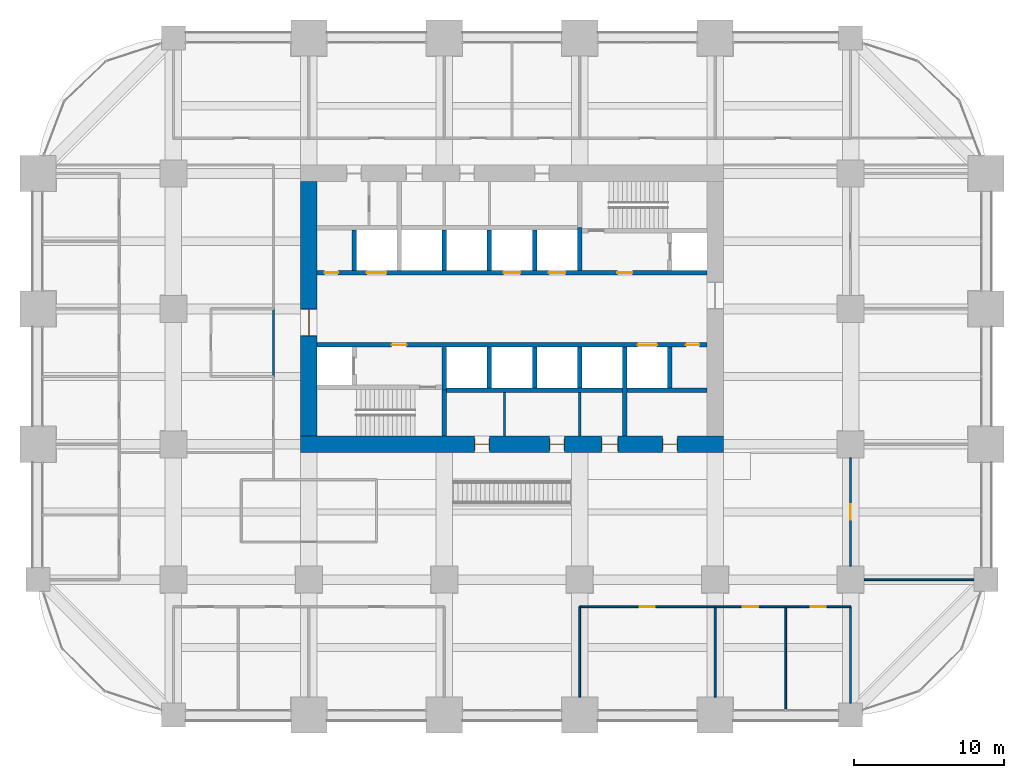
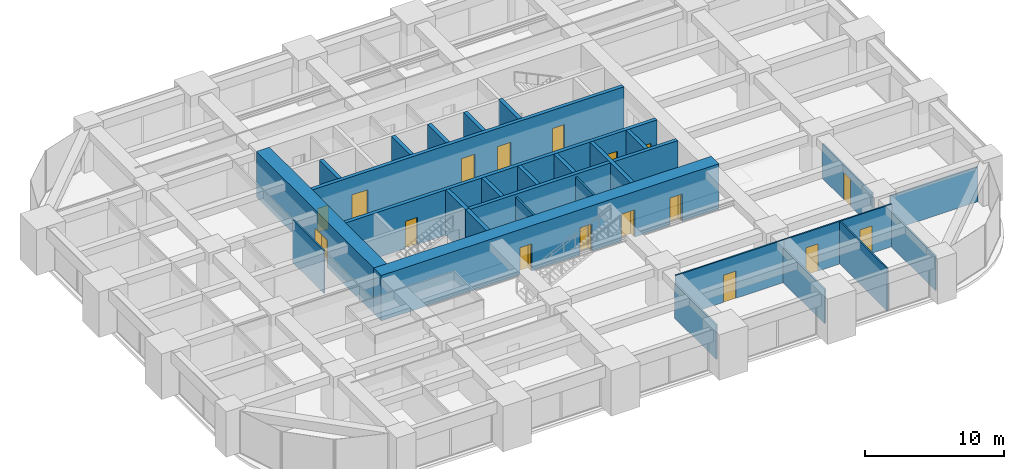
# One storey, part 37 of 41: 29 walls, 17 doors, 17 openings.
"""IFC4 building model written with IfcOpenShell, lengths in metres."""

import ifcopenshell
import ifcopenshell.guid

model = None  # the IFC model being written
_history = None  # IfcOwnerHistory: only IFC2X3 demands one
_inside = {}  # id of a spatial element -> (the spatial element, [elements in it])
_under = {}  # id of a project, library or spatial element -> (it, [spatial elements below it])
_declared = {}  # id of a project -> (the project, [libraries it declares])
_typed = {}  # id of a type object -> (the type object, [elements of that type])
_made_of = {}  # id of a material, layer set ... -> (it, [elements and type objects made of it])


def new_model(schema):
    """Start an empty IFC model of exactly this schema.

    Asked for "IFC4X3", IfcOpenShell would pick the latest addendum, in which some entities
    have other attributes; the version numbers below select the first issue.
    IFC2X3 requires an IfcOwnerHistory on every rooted entity: one is made here for all.
    """
    global model, _history
    if schema == "IFC4X3":
        model = ifcopenshell.file(schema_version=(4, 3, 0, 0))
    else:
        model = ifcopenshell.file(schema=schema)
    _inside.clear()
    _under.clear()
    _declared.clear()
    _typed.clear()
    _made_of.clear()
    _history = None
    if model.schema == "IFC2X3":
        org = make("IfcOrganization", Name="unknown")
        user = make(
            "IfcPersonAndOrganization",
            ThePerson=make("IfcPerson", FamilyName="unknown"),
            TheOrganization=org,
        )
        app = make(
            "IfcApplication",
            ApplicationDeveloper=org,
            Version="unknown",
            ApplicationFullName="unknown",
            ApplicationIdentifier="unknown",
        )
        _history = make(
            "IfcOwnerHistory",
            OwningUser=user,
            OwningApplication=app,
            ChangeAction="ADDED",
            CreationDate=0,
        )
    return model


def make(cls, **values):
    """One entity of the class cls with the attributes given. An attribute that is None is left unset."""
    return model.create_entity(
        cls, **{name: value for name, value in values.items() if value is not None}
    )


def rooted(cls, **values):
    """An entity with a GlobalId (a new one), such as an element, a storey or a relation."""
    return make(cls, GlobalId=ifcopenshell.guid.new(), OwnerHistory=_history, **values)


def si_unit(unit_type, name, prefix=None):
    """IfcSIUnit, for example si_unit("LENGTHUNIT", "METRE", prefix="MILLI")."""
    return make("IfcSIUnit", UnitType=unit_type, Prefix=prefix, Name=name)


def assignment(units):
    """IfcUnitAssignment: the units of a project."""
    return None if units is None else make("IfcUnitAssignment", Units=units)


def point(xyz):
    """IfcCartesianPoint."""
    return None if xyz is None else make("IfcCartesianPoint", Coordinates=xyz)


def direction(xyz):
    """IfcDirection."""
    return None if xyz is None else make("IfcDirection", DirectionRatios=xyz)


def frame(location, z_axis=None, x_axis=None):
    """IfcAxis2Placement3D, a coordinate frame: its origin and axes. An axis left out is left unset."""
    return make(
        "IfcAxis2Placement3D",
        Location=point(location),
        Axis=direction(z_axis),
        RefDirection=direction(x_axis),
    )


def frame_2d(location, x_axis=None):
    """IfcAxis2Placement2D, a coordinate frame in the plane: its origin and x axis."""
    return make(
        "IfcAxis2Placement2D", Location=point(location), RefDirection=direction(x_axis)
    )


def origin():
    """The frame at (0, 0, 0) with its axes left unset."""
    return frame((0.0, 0.0, 0.0))


def place(relative_to, where):
    """IfcLocalPlacement: puts the frame where relative to a parent placement (None: the world)."""
    return make(
        "IfcLocalPlacement", PlacementRelTo=relative_to, RelativePlacement=where
    )


def context(
    kind, dimensions, precision=None, world=None, true_north=None, identifier=None
):
    """IfcGeometricRepresentationContext, for example the 3D "Model" context."""
    return make(
        "IfcGeometricRepresentationContext",
        ContextIdentifier=identifier,
        ContextType=kind,
        CoordinateSpaceDimension=dimensions,
        Precision=precision,
        WorldCoordinateSystem=world,
        TrueNorth=true_north,
    )


def subcontext(parent, identifier, kind, view, scale=None):
    """IfcGeometricRepresentationSubContext, for example "Body" below "Model"."""
    return make(
        "IfcGeometricRepresentationSubContext",
        ContextIdentifier=identifier,
        ContextType=kind,
        ParentContext=parent,
        TargetScale=scale,
        TargetView=view,
    )


def project(units=None, contexts=None):
    """IfcProject with its units and contexts."""
    return rooted(
        "IfcProject",
        Name="project",
        RepresentationContexts=contexts,
        UnitsInContext=assignment(units),
    )


def spatial(cls, under=None, at=None, **own):
    """A site, building, storey or space (cls), placed at a placement, below another one or the project."""
    s = rooted(cls, ObjectPlacement=at, **own)
    if under is not None:
        _under.setdefault(under.id(), (under, []))[1].append(s)
    return s


def profile(cls, at=None, kind="AREA", **sizes):
    """A parametric profile (cls). Its sizes go by their IFC names, for example OverallWidth=200.0."""
    return make(cls, ProfileType=kind, Position=at, **sizes)


def rectangle(**sizes):
    """IfcRectangleProfileDef."""
    return profile("IfcRectangleProfileDef", **sizes)


def extrude(swept, where, along, depth):
    """IfcExtrudedAreaSolid: the profile swept, set in the frame where, extruded along a direction by depth."""
    return make(
        "IfcExtrudedAreaSolid",
        SweptArea=swept,
        Position=where,
        ExtrudedDirection=direction(along),
        Depth=depth,
    )


def shape(context_of_items, identifier, shape_type, items):
    """IfcShapeRepresentation: the items that make up one representation, for example the "Body"."""
    return make(
        "IfcShapeRepresentation",
        ContextOfItems=context_of_items,
        RepresentationIdentifier=identifier,
        RepresentationType=shape_type,
        Items=items,
    )


def material(Name=None, Category=None):
    """IfcMaterial."""
    return make("IfcMaterial", Name=Name, Category=Category)


def layer(
    of_material, thickness, ventilated=None, Name=None, Category=None, Priority=None
):
    """IfcMaterialLayer: one layer of a wall or slab, of a material (None: an air gap)."""
    return make(
        "IfcMaterialLayer",
        Material=of_material,
        LayerThickness=thickness,
        IsVentilated=ventilated,
        Name=Name,
        Category=Category,
        Priority=Priority,
    )


def layer_set(layers, Name=None):
    """IfcMaterialLayerSet."""
    return make("IfcMaterialLayerSet", MaterialLayers=layers, LayerSetName=Name)


def made_of(thing, what):
    """Note that an element or type object is made of a material, layer set ...; save() writes the relation."""
    if what is not None:
        _made_of.setdefault(what.id(), (what, []))[1].append(thing)
    return thing


def type_object(cls, material=None, **own):
    """A type object (cls), such as IfcWallType, which elements share."""
    return made_of(rooted(cls, **own), material)


def element(
    cls,
    number,
    at=None,
    inside=None,
    cuts=None,
    type_object=None,
    material=None,
    context=None,
    identifier="Body",
    shape_type=None,
    held_by="IfcProductDefinitionShape",
    body=None,
    shapes=None,
    **own,
):
    """One element of the class cls, such as IfcWall. Its Tag is "e" and its number.

    at: its placement. inside: the storey or other place that contains it. cuts: it is an
    opening in that element (IfcRelVoidsElement). A single representation is given by context,
    identifier, shape_type and body (its items); several are given by shapes. held_by: the class
    of the entity that holds the representations. save() writes the other relations.
    """
    e = rooted(cls, Tag="e%d" % number, ObjectPlacement=at, **own)
    if body is not None:
        shapes = [shape(context, identifier, shape_type, body)]
    if shapes is not None:
        e.Representation = make(held_by, Representations=shapes)
    if inside is not None:
        _inside.setdefault(inside.id(), (inside, []))[1].append(e)
    if cuts is not None:
        rooted(
            "IfcRelVoidsElement", RelatingBuildingElement=cuts, RelatedOpeningElement=e
        )
    if type_object is not None:
        _typed.setdefault(type_object.id(), (type_object, []))[1].append(e)
    return made_of(e, material)


def fill(opening, filler):
    """IfcRelFillsElement: the door or window that sits in an opening."""
    return rooted(
        "IfcRelFillsElement",
        RelatingOpeningElement=opening,
        RelatedBuildingElement=filler,
    )


def aggregate(whole, parts):
    """IfcRelAggregates: a whole, such as a stair, and the parts it consists of."""
    return rooted("IfcRelAggregates", RelatingObject=whole, RelatedObjects=parts)


def save(model, path):
    """Write the relations noted so far, then the file.

    IfcRelAggregates (storeys below a building ...), IfcRelContainedInSpatialStructure (elements
    in a storey), IfcRelDefinesByType, IfcRelAssociatesMaterial and IfcRelDeclares: one each for
    every whole, place, type object, material and project.
    """
    for whole, parts in _under.values():
        aggregate(whole, parts)
    for where, things in _inside.values():
        rooted(
            "IfcRelContainedInSpatialStructure",
            RelatedElements=things,
            RelatingStructure=where,
        )
    for kind, things in _typed.values():
        rooted("IfcRelDefinesByType", RelatedObjects=things, RelatingType=kind)
    for what, things in _made_of.values():
        rooted("IfcRelAssociatesMaterial", RelatedObjects=things, RelatingMaterial=what)
    for by, libraries in _declared.values():
        rooted("IfcRelDeclares", RelatingContext=by, RelatedDefinitions=libraries)
    model.write(path)


model = new_model("IFC4")

# Units and contexts
model_context = context("Model", 3, precision=1e-05, world=origin(), true_north=direction((0.0, 1.0)))
body_context = subcontext(model_context, "Body", "Model", "MODEL_VIEW")
ifc_project = project(units=[si_unit("LENGTHUNIT", "METRE"), si_unit("AREAUNIT", "SQUARE_METRE"), si_unit("VOLUMEUNIT", "CUBIC_METRE"), si_unit("PLANEANGLEUNIT", "RADIAN"), si_unit("MASSUNIT", "GRAM", prefix="KILO")], contexts=[model_context])

# Site, building, storey
site_placement = place(None, origin())
site = spatial("IfcSite", under=ifc_project, at=site_placement, CompositionType="ELEMENT")
building_placement = place(site_placement, origin())
building = spatial("IfcBuilding", under=site, at=building_placement, Name="Zorevar Civic Tower", CompositionType="ELEMENT")
storey_placement = place(building_placement, frame((0.0, 0.0, 137.0)))
storey = spatial("IfcBuildingStorey", under=building, at=storey_placement, Name="L33", CompositionType="ELEMENT", Elevation=137.0)

# Wall, openings, doors
ifc_material_1 = material(Name="Concrete C50/60", Category="concrete")
ifc_layer_1 = layer(ifc_material_1, 1.10009765625)
ifc_layer_set_1 = layer_set([ifc_layer_1], Name="Core wall 1100")
wall_type_1 = type_object("IfcWallType", Name="Core wall 1100", PredefinedType="SHEAR", material=ifc_layer_set_1)
wall_1_placement = place(storey_placement, frame((17.449951171875, 18.0, 0.0), z_axis=(0.0, 0.0, 1.0), x_axis=(1.0, 0.0, 0.0)))
wall_1 = element("IfcWall", 1, at=wall_1_placement, inside=storey, type_object=wall_type_1, Name="Core wall S L33", PredefinedType="SHEAR", context=body_context, shape_type="SweptSolid", body=[
    extrude(rectangle(XDim=28.10009765625, YDim=1.10009765625, at=frame_2d((14.050048828125, 0.0))), origin(), (0.0, 0.0, 1.0), 4.0),
])
opening_1_placement = place(wall_1_placement, frame((11.550048828125, 0.0, 0.0)))
opening_1 = element("IfcOpeningElement", 2, at=opening_1_placement, cuts=wall_1, Name="Opening L33.03", PredefinedType="OPENING", context=body_context, shape_type="SweptSolid", body=[
    extrude(rectangle(XDim=1.0, YDim=2.39990234375, at=frame_2d((0.5, 1.199951171875))), frame((0.0, 0.56005859375, 0.0), z_axis=(0.0, -1.0, 0.0), x_axis=(1.0, 0.0, 0.0)), (0.0, 0.0, 1.0), 1.1201171875),
])
opening_2_placement = place(wall_1_placement, frame((16.550048828125, 0.0, 0.0)))
opening_2 = element("IfcOpeningElement", 3, at=opening_2_placement, cuts=wall_1, Name="Opening L33.04", PredefinedType="OPENING", context=body_context, shape_type="SweptSolid", body=[
    extrude(rectangle(XDim=1.0, YDim=2.39990234375, at=frame_2d((0.5, 1.199951171875))), frame((0.0, 0.56005859375, 0.0), z_axis=(0.0, -1.0, 0.0), x_axis=(1.0, 0.0, 0.0)), (0.0, 0.0, 1.0), 1.1201171875),
])
opening_3_placement = place(wall_1_placement, frame((20.0, 0.0, 0.0)))
opening_3 = element("IfcOpeningElement", 4, at=opening_3_placement, cuts=wall_1, Name="Opening L33.05", PredefinedType="OPENING", context=body_context, shape_type="SweptSolid", body=[
    extrude(rectangle(XDim=1.10009765625, YDim=2.39990234375, at=frame_2d((0.550048828125, 1.199951171875))), frame((0.0, 0.56005859375, 0.0), z_axis=(0.0, -1.0, 0.0), x_axis=(1.0, 0.0, 0.0)), (0.0, 0.0, 1.0), 1.1201171875),
])
opening_4_placement = place(wall_1_placement, frame((24.050048828125, 0.0, 0.0)))
opening_4 = element("IfcOpeningElement", 5, at=opening_4_placement, cuts=wall_1, Name="Opening L33.06", PredefinedType="OPENING", context=body_context, shape_type="SweptSolid", body=[
    extrude(rectangle(XDim=1.0, YDim=2.39990234375, at=frame_2d((0.5, 1.199951171875))), frame((0.0, 0.56005859375, 0.0), z_axis=(0.0, -1.0, 0.0), x_axis=(1.0, 0.0, 0.0)), (0.0, 0.0, 1.0), 1.1201171875),
])
ifc_material_2 = material(Name="Timber door set", Category="wood")
door_type_1 = type_object("IfcDoorType", Name="Door D1 1000x2400", OperationType="SINGLE_SWING_LEFT", PredefinedType="DOOR", material=ifc_material_2)
door_1_placement = place(opening_1_placement, origin())
door_1 = element("IfcDoor", 6, at=door_1_placement, inside=storey, type_object=door_type_1, Name="Door L33 02", OperationType="SINGLE_SWING_RIGHT", OverallHeight=2.39990234375, OverallWidth=1.0, PredefinedType="DOOR", context=body_context, shape_type="SweptSolid", body=[
    extrude(rectangle(XDim=1.0, YDim=2.39990234375, at=frame_2d((0.5, 1.199951171875))), frame((0.0, 0.02490234375, 0.0), z_axis=(0.0, -1.0, 0.0), x_axis=(1.0, 0.0, 0.0)), (0.0, 0.0, 1.0), 0.050048828125),
    extrude(rectangle(XDim=0.04, YDim=2.39990234375, at=frame_2d((0.02001953125, 1.199951171875))), frame((0.0, 0.39990234375, 0.0), z_axis=(0.0, -1.0, 0.0), x_axis=(1.0, 0.0, 0.0)), (0.0, 0.0, 1.0), 0.800048828125),
    extrude(rectangle(XDim=0.04, YDim=2.39990234375, at=frame_2d((0.97998046875, 1.199951171875))), frame((0.0, 0.39990234375, 0.0), z_axis=(0.0, -1.0, 0.0), x_axis=(1.0, 0.0, 0.0)), (0.0, 0.0, 1.0), 0.800048828125),
    extrude(rectangle(XDim=1.0, YDim=0.04, at=frame_2d((0.5, 2.3798828125))), frame((0.0, 0.39990234375, 0.0), z_axis=(0.0, -1.0, 0.0), x_axis=(1.0, 0.0, 0.0)), (0.0, 0.0, 1.0), 0.800048828125),
])
fill(opening_1, door_1)
door_2_placement = place(opening_2_placement, origin())
door_2 = element("IfcDoor", 7, at=door_2_placement, inside=storey, type_object=door_type_1, Name="Door L33 03", OperationType="SINGLE_SWING_LEFT", OverallHeight=2.39990234375, OverallWidth=1.0, PredefinedType="DOOR", context=body_context, shape_type="SweptSolid", body=[
    extrude(rectangle(XDim=1.0, YDim=2.39990234375, at=frame_2d((0.5, 1.199951171875))), frame((0.0, 0.02490234375, 0.0), z_axis=(0.0, -1.0, 0.0), x_axis=(1.0, 0.0, 0.0)), (0.0, 0.0, 1.0), 0.050048828125),
    extrude(rectangle(XDim=0.04, YDim=2.39990234375, at=frame_2d((0.02001953125, 1.199951171875))), frame((0.0, 0.39990234375, 0.0), z_axis=(0.0, -1.0, 0.0), x_axis=(1.0, 0.0, 0.0)), (0.0, 0.0, 1.0), 0.800048828125),
    extrude(rectangle(XDim=0.04, YDim=2.39990234375, at=frame_2d((0.97998046875, 1.199951171875))), frame((0.0, 0.39990234375, 0.0), z_axis=(0.0, -1.0, 0.0), x_axis=(1.0, 0.0, 0.0)), (0.0, 0.0, 1.0), 0.800048828125),
    extrude(rectangle(XDim=1.0, YDim=0.04, at=frame_2d((0.5, 2.3798828125))), frame((0.0, 0.39990234375, 0.0), z_axis=(0.0, -1.0, 0.0), x_axis=(1.0, 0.0, 0.0)), (0.0, 0.0, 1.0), 0.800048828125),
])
fill(opening_2, door_2)
door_3_placement = place(opening_4_placement, origin())
door_3 = element("IfcDoor", 8, at=door_3_placement, inside=storey, type_object=door_type_1, Name="Door L33 05", OperationType="SINGLE_SWING_LEFT", OverallHeight=2.39990234375, OverallWidth=1.0, PredefinedType="DOOR", context=body_context, shape_type="SweptSolid", body=[
    extrude(rectangle(XDim=1.0, YDim=2.39990234375, at=frame_2d((0.5, 1.199951171875))), frame((0.0, 0.02490234375, 0.0), z_axis=(0.0, -1.0, 0.0), x_axis=(1.0, 0.0, 0.0)), (0.0, 0.0, 1.0), 0.050048828125),
    extrude(rectangle(XDim=0.04, YDim=2.39990234375, at=frame_2d((0.02001953125, 1.199951171875))), frame((0.0, 0.39990234375, 0.0), z_axis=(0.0, -1.0, 0.0), x_axis=(1.0, 0.0, 0.0)), (0.0, 0.0, 1.0), 0.800048828125),
    extrude(rectangle(XDim=0.04, YDim=2.39990234375, at=frame_2d((0.97998046875, 1.199951171875))), frame((0.0, 0.39990234375, 0.0), z_axis=(0.0, -1.0, 0.0), x_axis=(1.0, 0.0, 0.0)), (0.0, 0.0, 1.0), 0.800048828125),
    extrude(rectangle(XDim=1.0, YDim=0.04, at=frame_2d((0.5, 2.3798828125))), frame((0.0, 0.39990234375, 0.0), z_axis=(0.0, -1.0, 0.0), x_axis=(1.0, 0.0, 0.0)), (0.0, 0.0, 1.0), 0.800048828125),
])
fill(opening_4, door_3)
ifc_material_3 = material(Name="Timber door set", Category="wood")
door_type_2 = type_object("IfcDoorType", Name="Door D5 1100x2400", OperationType="SINGLE_SWING_LEFT", PredefinedType="DOOR", material=ifc_material_3)
door_4_placement = place(opening_3_placement, origin())
door_4 = element("IfcDoor", 9, at=door_4_placement, inside=storey, type_object=door_type_2, Name="Door L33 04", OperationType="SINGLE_SWING_LEFT", OverallHeight=2.39990234375, OverallWidth=1.10009765625, PredefinedType="DOOR", context=body_context, shape_type="SweptSolid", body=[
    extrude(rectangle(XDim=1.10009765625, YDim=2.39990234375, at=frame_2d((0.550048828125, 1.199951171875))), frame((0.0, 0.02490234375, 0.0), z_axis=(0.0, -1.0, 0.0), x_axis=(1.0, 0.0, 0.0)), (0.0, 0.0, 1.0), 0.050048828125),
    extrude(rectangle(XDim=0.04, YDim=2.39990234375, at=frame_2d((0.02001953125, 1.199951171875))), frame((0.0, 0.43994140625, 0.0), z_axis=(0.0, -1.0, 0.0), x_axis=(1.0, 0.0, 0.0)), (0.0, 0.0, 1.0), 0.880126953125),
    extrude(rectangle(XDim=0.04, YDim=2.39990234375, at=frame_2d((1.080078125, 1.199951171875))), frame((0.0, 0.43994140625, 0.0), z_axis=(0.0, -1.0, 0.0), x_axis=(1.0, 0.0, 0.0)), (0.0, 0.0, 1.0), 0.880126953125),
    extrude(rectangle(XDim=1.10009765625, YDim=0.04, at=frame_2d((0.550048828125, 2.3798828125))), frame((0.0, 0.43994140625, 0.0), z_axis=(0.0, -1.0, 0.0), x_axis=(1.0, 0.0, 0.0)), (0.0, 0.0, 1.0), 0.880126953125),
])
fill(opening_3, door_4)

# Wall, opening, door
wall_2_placement = place(storey_placement, frame((18.0, 35.449951171875, 0.0), z_axis=(0.0, 0.0, 1.0), x_axis=(0.0, -1.0, 0.0)))
wall_2 = element("IfcWall", 10, at=wall_2_placement, inside=storey, type_object=wall_type_1, Name="Core wall W L33", PredefinedType="SHEAR", context=body_context, shape_type="SweptSolid", body=[
    extrude(rectangle(XDim=16.89990234375, YDim=1.10009765625, at=frame_2d((8.449951171875, 0.0))), origin(), (0.0, 0.0, 1.0), 4.0),
])
opening_5_placement = place(wall_2_placement, frame((8.449951171875, 0.0, 0.0)))
opening_5 = element("IfcOpeningElement", 11, at=opening_5_placement, cuts=wall_2, Name="Opening L33.01", PredefinedType="OPENING", context=body_context, shape_type="SweptSolid", body=[
    extrude(rectangle(XDim=1.800048828125, YDim=2.39990234375, at=frame_2d((0.89990234375, 1.199951171875))), frame((0.0, 0.56005859375, 0.0), z_axis=(0.0, -1.0, 0.0), x_axis=(1.0, 0.0, 0.0)), (0.0, 0.0, 1.0), 1.1201171875),
])
ifc_material_4 = material(Name="Steel door set", Category="steel")
door_type_3 = type_object("IfcDoorType", Name="Fire door FD2 1800x2400", OperationType="DOUBLE_DOOR_DOUBLE_SWING", PredefinedType="DOOR", material=ifc_material_4)
door_5_placement = place(opening_5_placement, origin())
door_5 = element("IfcDoor", 12, at=door_5_placement, inside=storey, type_object=door_type_3, Name="Door L33 00", OperationType="DOUBLE_DOOR_DOUBLE_SWING", OverallHeight=2.39990234375, OverallWidth=1.800048828125, PredefinedType="DOOR", context=body_context, shape_type="SweptSolid", body=[
    extrude(rectangle(XDim=1.800048828125, YDim=2.39990234375, at=frame_2d((0.89990234375, 1.199951171875))), frame((0.0, 0.030029296875, 0.0), z_axis=(0.0, -1.0, 0.0), x_axis=(1.0, 0.0, 0.0)), (0.0, 0.0, 1.0), 0.06005859375),
    extrude(rectangle(XDim=0.04, YDim=2.39990234375, at=frame_2d((0.02001953125, 1.199951171875))), frame((0.0, 0.5498046875, 0.0), z_axis=(0.0, -1.0, 0.0), x_axis=(1.0, 0.0, 0.0)), (0.0, 0.0, 1.0), 1.099609375),
    extrude(rectangle(XDim=0.04, YDim=2.39990234375, at=frame_2d((1.780029296875, 1.199951171875))), frame((0.0, 0.5498046875, 0.0), z_axis=(0.0, -1.0, 0.0), x_axis=(1.0, 0.0, 0.0)), (0.0, 0.0, 1.0), 1.099609375),
    extrude(rectangle(XDim=1.800048828125, YDim=0.04, at=frame_2d((0.89990234375, 2.3798828125))), frame((0.0, 0.5498046875, 0.0), z_axis=(0.0, -1.0, 0.0), x_axis=(1.0, 0.0, 0.0)), (0.0, 0.0, 1.0), 1.099609375),
])
fill(opening_5, door_5)

# Wall
ifc_material_5 = material(Name="Concrete C40/50", Category="concrete")
ifc_layer_2 = layer(ifc_material_5, 0.300048828125)
ifc_layer_set_2 = layer_set([ifc_layer_2], Name="Inner core wall 300")
wall_type_2 = type_object("IfcWallType", Name="Inner core wall 300", PredefinedType="SHEAR", material=ifc_layer_set_2)
wall_3_placement = place(storey_placement, frame((27.0, 18.550048828125, 0.0), z_axis=(0.0, 0.0, 1.0), x_axis=(0.0, 1.0, 0.0)))
element("IfcWall", 13, at=wall_3_placement, inside=storey, type_object=wall_type_2, Name="Inner core wall S01 L33", PredefinedType="SHEAR", context=body_context, shape_type="SweptSolid", body=[
    extrude(rectangle(XDim=3.050048828125, YDim=0.300048828125, at=frame_2d((1.52490234375, 0.0))), origin(), (0.0, 0.0, 1.0), 4.0),
])

# Wall, openings, doors
wall_4_placement = place(storey_placement, frame((18.550048828125, 24.60009765625, 0.0), z_axis=(0.0, 0.0, 1.0), x_axis=(1.0, 0.0, 0.0)))
wall_4 = element("IfcWall", 14, at=wall_4_placement, inside=storey, type_object=wall_type_2, Name="Inner core wall S03 L33", PredefinedType="SHEAR", context=body_context, shape_type="SweptSolid", body=[
    extrude(rectangle(XDim=25.89990234375, YDim=0.300048828125, at=frame_2d((12.949951171875, 0.0))), origin(), (0.0, 0.0, 1.0), 4.0),
])
opening_6_placement = place(wall_4_placement, frame((4.949951171875, 0.0, 0.0)))
opening_6 = element("IfcOpeningElement", 15, at=opening_6_placement, cuts=wall_4, Name="Opening L33.13", PredefinedType="OPENING", context=body_context, shape_type="SweptSolid", body=[
    extrude(rectangle(XDim=1.0, YDim=2.39990234375, at=frame_2d((0.5, 1.199951171875))), frame((0.0, 0.159912109375, 0.0), z_axis=(0.0, -1.0, 0.0), x_axis=(1.0, 0.0, 0.0)), (0.0, 0.0, 1.0), 0.320068359375),
])
opening_7_placement = place(wall_4_placement, frame((24.5, 0.0, 0.0)))
opening_7 = element("IfcOpeningElement", 16, at=opening_7_placement, cuts=wall_4, Name="Opening L33.15", PredefinedType="OPENING", context=body_context, shape_type="SweptSolid", body=[
    extrude(rectangle(XDim=0.89990234375, YDim=2.10009765625, at=frame_2d((0.449951171875, 1.050048828125))), frame((0.0, 0.159912109375, 0.0), z_axis=(0.0, -1.0, 0.0), x_axis=(1.0, 0.0, 0.0)), (0.0, 0.0, 1.0), 0.320068359375),
])
opening_8_placement = place(wall_4_placement, frame((21.300048828125, 0.0, 0.0)))
opening_8 = element("IfcOpeningElement", 17, at=opening_8_placement, cuts=wall_4, Name="Opening L33.SL1", PredefinedType="OPENING", context=body_context, shape_type="SweptSolid", body=[
    extrude(rectangle(XDim=1.300048828125, YDim=2.39990234375, at=frame_2d((0.64990234375, 1.199951171875))), frame((0.0, 0.159912109375, 0.0), z_axis=(0.0, -1.0, 0.0), x_axis=(1.0, 0.0, 0.0)), (0.0, 0.0, 1.0), 0.320068359375),
])
ifc_material_6 = material(Name="Steel door set", Category="steel")
door_type_4 = type_object("IfcDoorType", Name="Fire door FD1 1000x2400", OperationType="SINGLE_SWING_LEFT", PredefinedType="DOOR", material=ifc_material_6)
door_6_placement = place(opening_6_placement, origin())
door_6 = element("IfcDoor", 18, at=door_6_placement, inside=storey, type_object=door_type_4, Name="Door L33 12", OperationType="SINGLE_SWING_RIGHT", OverallHeight=2.39990234375, OverallWidth=1.0, PredefinedType="DOOR", context=body_context, shape_type="SweptSolid", body=[
    extrude(rectangle(XDim=1.0, YDim=2.39990234375, at=frame_2d((0.5, 1.199951171875))), frame((0.0, 0.030029296875, 0.0), z_axis=(0.0, -1.0, 0.0), x_axis=(1.0, 0.0, 0.0)), (0.0, 0.0, 1.0), 0.06005859375),
])
fill(opening_6, door_6)
ifc_material_7 = material(Name="Steel door set", Category="steel")
door_type_5 = type_object("IfcDoorType", Name="Landing door LD2 1300x2400", OperationType="DOUBLE_DOOR_SLIDING", PredefinedType="DOOR", material=ifc_material_7)
door_7_placement = place(opening_8_placement, origin())
door_7 = element("IfcDoor", 19, at=door_7_placement, inside=storey, type_object=door_type_5, Name="Landing door SL1 L33", OperationType="DOUBLE_DOOR_SLIDING", OverallHeight=2.39990234375, OverallWidth=1.300048828125, PredefinedType="DOOR", context=body_context, shape_type="SweptSolid", body=[
    extrude(rectangle(XDim=1.300048828125, YDim=2.39990234375, at=frame_2d((0.64990234375, 1.199951171875))), frame((0.0, 0.02001953125, 0.0), z_axis=(0.0, -1.0, 0.0), x_axis=(1.0, 0.0, 0.0)), (0.0, 0.0, 1.0), 0.0400390625),
])
fill(opening_8, door_7)
ifc_material_8 = material(Name="Steel door set", Category="steel")
door_type_6 = type_object("IfcDoorType", Name="Riser door RD1 900x2100", OperationType="SINGLE_SWING_LEFT", PredefinedType="DOOR", material=ifc_material_8)
door_8_placement = place(opening_7_placement, origin())
door_8 = element("IfcDoor", 20, at=door_8_placement, inside=storey, type_object=door_type_6, Name="Door L33 14", OperationType="SINGLE_SWING_RIGHT", OverallHeight=2.10009765625, OverallWidth=0.89990234375, PredefinedType="DOOR", context=body_context, shape_type="SweptSolid", body=[
    extrude(rectangle(XDim=0.89990234375, YDim=2.10009765625, at=frame_2d((0.449951171875, 1.050048828125))), frame((0.0, 0.030029296875, 0.0), z_axis=(0.0, -1.0, 0.0), x_axis=(1.0, 0.0, 0.0)), (0.0, 0.0, 1.0), 0.06005859375),
])
fill(opening_7, door_8)

wall_5_placement = place(storey_placement, frame((18.550048828125, 29.39990234375, 0.0), z_axis=(0.0, 0.0, 1.0), x_axis=(1.0, 0.0, 0.0)))
wall_5 = element("IfcWall", 21, at=wall_5_placement, inside=storey, type_object=wall_type_2, Name="Inner core wall N03 L33", PredefinedType="SHEAR", context=body_context, shape_type="SweptSolid", body=[
    extrude(rectangle(XDim=25.89990234375, YDim=0.300048828125, at=frame_2d((12.949951171875, 0.0))), origin(), (0.0, 0.0, 1.0), 4.0),
])
opening_9_placement = place(wall_5_placement, frame((19.949951171875, 0.0, 0.0)))
opening_9 = element("IfcOpeningElement", 22, at=opening_9_placement, cuts=wall_5, Name="Opening L33.14", PredefinedType="OPENING", context=body_context, shape_type="SweptSolid", body=[
    extrude(rectangle(XDim=1.0, YDim=2.39990234375, at=frame_2d((0.5, 1.199951171875))), frame((0.0, 0.159912109375, 0.0), z_axis=(0.0, -1.0, 0.0), x_axis=(1.0, 0.0, 0.0)), (0.0, 0.0, 1.0), 0.320068359375),
])
opening_10_placement = place(wall_5_placement, frame((0.5, 0.0, 0.0)))
opening_10 = element("IfcOpeningElement", 23, at=opening_10_placement, cuts=wall_5, Name="Opening L33.16", PredefinedType="OPENING", context=body_context, shape_type="SweptSolid", body=[
    extrude(rectangle(XDim=0.89990234375, YDim=2.10009765625, at=frame_2d((0.449951171875, 1.050048828125))), frame((0.0, 0.159912109375, 0.0), z_axis=(0.0, -1.0, 0.0), x_axis=(1.0, 0.0, 0.0)), (0.0, 0.0, 1.0), 0.320068359375),
])
opening_11_placement = place(wall_5_placement, frame((15.39990234375, 0.0, 0.0)))
opening_11 = element("IfcOpeningElement", 24, at=opening_11_placement, cuts=wall_5, Name="Opening L33.LM1", PredefinedType="OPENING", context=body_context, shape_type="SweptSolid", body=[
    extrude(rectangle(XDim=1.10009765625, YDim=2.39990234375, at=frame_2d((0.550048828125, 1.199951171875))), frame((0.0, 0.159912109375, 0.0), z_axis=(0.0, -1.0, 0.0), x_axis=(1.0, 0.0, 0.0)), (0.0, 0.0, 1.0), 0.320068359375),
])
opening_12_placement = place(wall_5_placement, frame((12.39990234375, 0.0, 0.0)))
opening_12 = element("IfcOpeningElement", 25, at=opening_12_placement, cuts=wall_5, Name="Opening L33.LM2", PredefinedType="OPENING", context=body_context, shape_type="SweptSolid", body=[
    extrude(rectangle(XDim=1.10009765625, YDim=2.39990234375, at=frame_2d((0.550048828125, 1.199951171875))), frame((0.0, 0.159912109375, 0.0), z_axis=(0.0, -1.0, 0.0), x_axis=(1.0, 0.0, 0.0)), (0.0, 0.0, 1.0), 0.320068359375),
])
opening_13_placement = place(wall_5_placement, frame((3.300048828125, 0.0, 0.0)))
opening_13 = element("IfcOpeningElement", 26, at=opening_13_placement, cuts=wall_5, Name="Opening L33.SL2", PredefinedType="OPENING", context=body_context, shape_type="SweptSolid", body=[
    extrude(rectangle(XDim=1.300048828125, YDim=2.39990234375, at=frame_2d((0.64990234375, 1.199951171875))), frame((0.0, 0.159912109375, 0.0), z_axis=(0.0, -1.0, 0.0), x_axis=(1.0, 0.0, 0.0)), (0.0, 0.0, 1.0), 0.320068359375),
])
door_9_placement = place(opening_9_placement, origin())
door_9 = element("IfcDoor", 27, at=door_9_placement, inside=storey, type_object=door_type_4, Name="Door L33 13", OperationType="SINGLE_SWING_RIGHT", OverallHeight=2.39990234375, OverallWidth=1.0, PredefinedType="DOOR", context=body_context, shape_type="SweptSolid", body=[
    extrude(rectangle(XDim=1.0, YDim=2.39990234375, at=frame_2d((0.5, 1.199951171875))), frame((0.0, 0.030029296875, 0.0), z_axis=(0.0, -1.0, 0.0), x_axis=(1.0, 0.0, 0.0)), (0.0, 0.0, 1.0), 0.06005859375),
])
fill(opening_9, door_9)
ifc_material_9 = material(Name="Steel door set", Category="steel")
door_type_7 = type_object("IfcDoorType", Name="Landing door LD1 1100x2400", OperationType="DOUBLE_DOOR_SLIDING", PredefinedType="DOOR", material=ifc_material_9)
door_10_placement = place(opening_11_placement, origin())
door_10 = element("IfcDoor", 28, at=door_10_placement, inside=storey, type_object=door_type_7, Name="Landing door LM1 L33", OperationType="DOUBLE_DOOR_SLIDING", OverallHeight=2.39990234375, OverallWidth=1.10009765625, PredefinedType="DOOR", context=body_context, shape_type="SweptSolid", body=[
    extrude(rectangle(XDim=1.10009765625, YDim=2.39990234375, at=frame_2d((0.550048828125, 1.199951171875))), frame((0.0, 0.02001953125, 0.0), z_axis=(0.0, -1.0, 0.0), x_axis=(1.0, 0.0, 0.0)), (0.0, 0.0, 1.0), 0.0400390625),
])
fill(opening_11, door_10)
door_11_placement = place(opening_12_placement, origin())
door_11 = element("IfcDoor", 29, at=door_11_placement, inside=storey, type_object=door_type_7, Name="Landing door LM2 L33", OperationType="DOUBLE_DOOR_SLIDING", OverallHeight=2.39990234375, OverallWidth=1.10009765625, PredefinedType="DOOR", context=body_context, shape_type="SweptSolid", body=[
    extrude(rectangle(XDim=1.10009765625, YDim=2.39990234375, at=frame_2d((0.550048828125, 1.199951171875))), frame((0.0, 0.02001953125, 0.0), z_axis=(0.0, -1.0, 0.0), x_axis=(1.0, 0.0, 0.0)), (0.0, 0.0, 1.0), 0.0400390625),
])
fill(opening_12, door_11)
door_12_placement = place(opening_13_placement, origin())
door_12 = element("IfcDoor", 30, at=door_12_placement, inside=storey, type_object=door_type_5, Name="Landing door SL2 L33", OperationType="DOUBLE_DOOR_SLIDING", OverallHeight=2.39990234375, OverallWidth=1.300048828125, PredefinedType="DOOR", context=body_context, shape_type="SweptSolid", body=[
    extrude(rectangle(XDim=1.300048828125, YDim=2.39990234375, at=frame_2d((0.64990234375, 1.199951171875))), frame((0.0, 0.02001953125, 0.0), z_axis=(0.0, -1.0, 0.0), x_axis=(1.0, 0.0, 0.0)), (0.0, 0.0, 1.0), 0.0400390625),
])
fill(opening_13, door_12)
door_13_placement = place(opening_10_placement, origin())
door_13 = element("IfcDoor", 31, at=door_13_placement, inside=storey, type_object=door_type_6, Name="Door L33 15", OperationType="SINGLE_SWING_RIGHT", OverallHeight=2.10009765625, OverallWidth=0.89990234375, PredefinedType="DOOR", context=body_context, shape_type="SweptSolid", body=[
    extrude(rectangle(XDim=0.89990234375, YDim=2.10009765625, at=frame_2d((0.449951171875, 1.050048828125))), frame((0.0, 0.030029296875, 0.0), z_axis=(0.0, -1.0, 0.0), x_axis=(1.0, 0.0, 0.0)), (0.0, 0.0, 1.0), 0.06005859375),
])
fill(opening_10, door_13)

# Walls
wall_6_placement = place(storey_placement, frame((27.14990234375, 21.60009765625, 0.0), z_axis=(0.0, 0.0, 1.0), x_axis=(1.0, 0.0, 0.0)))
element("IfcWall", 32, at=wall_6_placement, inside=storey, type_object=wall_type_2, Name="Inner core wall S04 L33", PredefinedType="SHEAR", context=body_context, shape_type="SweptSolid", body=[
    extrude(rectangle(XDim=17.300048828125, YDim=0.300048828125, at=frame_2d((8.64990234375, 0.0))), origin(), (0.0, 0.0, 1.0), 4.0),
])
for number, where, z_axis, x_axis, name in (
    (33, (30.0, 21.75, 0.0), (0.0, 0.0, 1.0), (0.0, 1.0, 0.0), "Inner core wall S05 L33"),
    (34, (33.0, 29.550048828125, 0.0), (0.0, 0.0, 1.0), (0.0, 1.0, 0.0), "Inner core wall N05 L33"),
    (35, (33.0, 21.75, 0.0), (0.0, 0.0, 1.0), (0.0, 1.0, 0.0), "Inner core wall S06 L33"),
    (36, (30.0, 29.550048828125, 0.0), (0.0, 0.0, 1.0), (0.0, 1.0, 0.0), "Inner core wall N06 L33"),
    (37, (36.0, 21.75, 0.0), (0.0, 0.0, 1.0), (0.0, 1.0, 0.0), "Inner core wall S07 L33"),
    (38, (27.0, 29.550048828125, 0.0), (0.0, 0.0, 1.0), (0.0, 1.0, 0.0), "Inner core wall N07 L33"),
):
    element("IfcWall", number, at=place(storey_placement, frame(where, z_axis=z_axis, x_axis=x_axis)), inside=storey, type_object=wall_type_2, Name=name, PredefinedType="SHEAR", context=body_context, shape_type="SweptSolid", body=[
        extrude(rectangle(XDim=2.699951171875, YDim=0.300048828125, at=frame_2d((1.35009765625, 0.0))), origin(), (0.0, 0.0, 1.0), 4.0),
    ])
wall_7_placement = place(storey_placement, frame((39.0, 18.550048828125, 0.0), z_axis=(0.0, 0.0, 1.0), x_axis=(0.0, 1.0, 0.0)))
element("IfcWall", 39, at=wall_7_placement, inside=storey, type_object=wall_type_2, Name="Inner core wall S08 L33", PredefinedType="SHEAR", context=body_context, shape_type="SweptSolid", body=[
    extrude(rectangle(XDim=5.89990234375, YDim=0.300048828125, at=frame_2d((2.949951171875, 0.0))), origin(), (0.0, 0.0, 1.0), 4.0),
])
for number, where, z_axis, x_axis, name in (
    (40, (42.0, 21.75, 0.0), (0.0, 0.0, 1.0), (0.0, 1.0, 0.0), "Inner core wall S09 L33"),
    (41, (21.0, 29.550048828125, 0.0), (0.0, 0.0, 1.0), (0.0, 1.0, 0.0), "Inner core wall N09 L33"),
):
    element("IfcWall", number, at=place(storey_placement, frame(where, z_axis=z_axis, x_axis=x_axis)), inside=storey, type_object=wall_type_2, Name=name, PredefinedType="SHEAR", context=body_context, shape_type="SweptSolid", body=[
        extrude(rectangle(XDim=2.699951171875, YDim=0.300048828125, at=frame_2d((1.35009765625, 0.0))), origin(), (0.0, 0.0, 1.0), 4.0),
    ])
for number, where, z_axis, x_axis, name in (
    (42, (27.0, 21.60009765625, 0.0), (0.0, 0.0, 1.0), (0.0, 1.0, 0.0), "Inner core wall S10 L33"),
    (43, (36.0, 29.550048828125, 0.0), (0.0, 0.0, 1.0), (0.0, 1.0, 0.0), "Inner core wall N10 L33"),
):
    element("IfcWall", number, at=place(storey_placement, frame(where, z_axis=z_axis, x_axis=x_axis)), inside=storey, type_object=wall_type_2, Name=name, PredefinedType="SHEAR", context=body_context, shape_type="SweptSolid", body=[
        extrude(rectangle(XDim=2.849853515625, YDim=0.300048828125, at=frame_2d((1.4248046875, 0.0))), origin(), (0.0, 0.0, 1.0), 4.0),
    ])

# Wall, opening, door
ifc_material_10 = material(Name="Gypsum board on steel studs", Category="steel")
ifc_layer_3 = layer(ifc_material_10, 0.1201171875)
ifc_layer_set_3 = layer_set([ifc_layer_3], Name="Partition 120")
wall_type_3 = type_object("IfcWallType", Name="Partition 120", PredefinedType="PARTITIONING", material=ifc_layer_set_3)
wall_8_placement = place(storey_placement, frame((36.0, 7.199951171875, 0.0), z_axis=(0.0, 0.0, 1.0), x_axis=(1.0, 0.0, 0.0)))
wall_8 = element("IfcWall", 44, at=wall_8_placement, inside=storey, type_object=wall_type_3, Name="Partition 120 L33", PredefinedType="PARTITIONING", context=body_context, shape_type="SweptSolid", body=[
    extrude(rectangle(XDim=9.0, YDim=0.1201171875, at=frame_2d((4.5, 0.0))), origin(), (0.0, 0.0, 1.0), 3.75),
])
opening_14_placement = place(wall_8_placement, frame((4.0, 0.0, 0.0)))
opening_14 = element("IfcOpeningElement", 45, at=opening_14_placement, cuts=wall_8, Name="Opening L33.20", PredefinedType="OPENING", context=body_context, shape_type="SweptSolid", body=[
    extrude(rectangle(XDim=1.0, YDim=2.39990234375, at=frame_2d((0.5, 1.199951171875))), frame((0.0, 0.070068359375, 0.0), z_axis=(0.0, -1.0, 0.0), x_axis=(1.0, 0.0, 0.0)), (0.0, 0.0, 1.0), 0.14013671875),
])
door_14_placement = place(opening_14_placement, origin())
door_14 = element("IfcDoor", 46, at=door_14_placement, inside=storey, type_object=door_type_1, Name="Door L33 D1", OperationType="SINGLE_SWING_LEFT", OverallHeight=2.39990234375, OverallWidth=1.0, PredefinedType="DOOR", context=body_context, shape_type="SweptSolid", body=[
    extrude(rectangle(XDim=1.0, YDim=2.39990234375, at=frame_2d((0.5, 1.199951171875))), frame((0.0, 0.02490234375, 0.0), z_axis=(0.0, -1.0, 0.0), x_axis=(1.0, 0.0, 0.0)), (0.0, 0.0, 1.0), 0.050048828125),
])
fill(opening_14, door_14)

wall_9_placement = place(storey_placement, frame((45.0, 7.199951171875, 0.0), z_axis=(0.0, 0.0, 1.0), x_axis=(1.0, 0.0, 0.0)))
wall_9 = element("IfcWall", 47, at=wall_9_placement, inside=storey, type_object=wall_type_3, Name="Partition 120 L33", PredefinedType="PARTITIONING", context=body_context, shape_type="SweptSolid", body=[
    extrude(rectangle(XDim=4.699951171875, YDim=0.1201171875, at=frame_2d((2.35009765625, 0.0))), origin(), (0.0, 0.0, 1.0), 3.75),
])
opening_15_placement = place(wall_9_placement, frame((1.85009765625, 0.0, 0.0)))
opening_15 = element("IfcOpeningElement", 48, at=opening_15_placement, cuts=wall_9, Name="Opening L33.21", PredefinedType="OPENING", context=body_context, shape_type="SweptSolid", body=[
    extrude(rectangle(XDim=1.0, YDim=2.39990234375, at=frame_2d((0.5, 1.199951171875))), frame((0.0, 0.070068359375, 0.0), z_axis=(0.0, -1.0, 0.0), x_axis=(1.0, 0.0, 0.0)), (0.0, 0.0, 1.0), 0.14013671875),
])
door_15_placement = place(opening_15_placement, origin())
door_15 = element("IfcDoor", 49, at=door_15_placement, inside=storey, type_object=door_type_1, Name="Door L33 D1", OperationType="SINGLE_SWING_LEFT", OverallHeight=2.39990234375, OverallWidth=1.0, PredefinedType="DOOR", context=body_context, shape_type="SweptSolid", body=[
    extrude(rectangle(XDim=1.0, YDim=2.39990234375, at=frame_2d((0.5, 1.199951171875))), frame((0.0, 0.02490234375, 0.0), z_axis=(0.0, -1.0, 0.0), x_axis=(1.0, 0.0, 0.0)), (0.0, 0.0, 1.0), 0.050048828125),
])
fill(opening_15, door_15)

wall_10_placement = place(storey_placement, frame((49.699951171875, 7.199951171875, 0.0), z_axis=(0.0, 0.0, 1.0), x_axis=(1.0, 0.0, 0.0)))
wall_10 = element("IfcWall", 50, at=wall_10_placement, inside=storey, type_object=wall_type_3, Name="Partition 120 L33", PredefinedType="PARTITIONING", context=body_context, shape_type="SweptSolid", body=[
    extrude(rectangle(XDim=4.300048828125, YDim=0.1201171875, at=frame_2d((2.14990234375, 0.0))), origin(), (0.0, 0.0, 1.0), 3.75),
])
opening_16_placement = place(wall_10_placement, frame((1.64990234375, 0.0, 0.0)))
opening_16 = element("IfcOpeningElement", 51, at=opening_16_placement, cuts=wall_10, Name="Opening L33.22", PredefinedType="OPENING", context=body_context, shape_type="SweptSolid", body=[
    extrude(rectangle(XDim=1.0, YDim=2.39990234375, at=frame_2d((0.5, 1.199951171875))), frame((0.0, 0.070068359375, 0.0), z_axis=(0.0, -1.0, 0.0), x_axis=(1.0, 0.0, 0.0)), (0.0, 0.0, 1.0), 0.14013671875),
])
door_16_placement = place(opening_16_placement, origin())
door_16 = element("IfcDoor", 52, at=door_16_placement, inside=storey, type_object=door_type_1, Name="Door L33 D1", OperationType="SINGLE_SWING_LEFT", OverallHeight=2.39990234375, OverallWidth=1.0, PredefinedType="DOOR", context=body_context, shape_type="SweptSolid", body=[
    extrude(rectangle(XDim=1.0, YDim=2.39990234375, at=frame_2d((0.5, 1.199951171875))), frame((0.0, 0.02490234375, 0.0), z_axis=(0.0, -1.0, 0.0), x_axis=(1.0, 0.0, 0.0)), (0.0, 0.0, 1.0), 0.050048828125),
])
fill(opening_16, door_16)

# Walls
wall_11_placement = place(storey_placement, frame((54.89990234375, 9.0, 0.0), z_axis=(0.0, 0.0, 1.0), x_axis=(1.0, 0.0, 0.0)))
element("IfcWall", 53, at=wall_11_placement, inside=storey, type_object=wall_type_3, Name="Partition 120 L33", PredefinedType="PARTITIONING", context=body_context, shape_type="SweptSolid", body=[
    extrude(rectangle(XDim=7.300048828125, YDim=0.1201171875, at=frame_2d((3.64990234375, 0.0))), origin(), (0.0, 0.0, 1.0), 3.050048828125),
])
wall_12_placement = place(storey_placement, frame((15.64990234375, 22.5, 0.0), z_axis=(0.0, 0.0, 1.0), x_axis=(0.0, 1.0, 0.0)))
element("IfcWall", 54, at=wall_12_placement, inside=storey, type_object=wall_type_3, Name="Partition 120 L33", PredefinedType="PARTITIONING", context=body_context, shape_type="SweptSolid", body=[
    extrude(rectangle(XDim=4.5, YDim=0.1201171875, at=frame_2d((2.25, 0.0))), origin(), (0.0, 0.0, 1.0), 3.75),
])
for number, where, z_axis, x_axis, name in (
    (55, (36.0, 1.199951171875, 0.0), (0.0, 0.0, 1.0), (0.0, 1.0, 0.0), "Partition 120 L33"),
    (56, (45.0, 1.199951171875, 0.0), (0.0, 0.0, 1.0), (0.0, 1.0, 0.0), "Partition 120 L33"),
):
    element("IfcWall", number, at=place(storey_placement, frame(where, z_axis=z_axis, x_axis=x_axis)), inside=storey, type_object=wall_type_3, Name=name, PredefinedType="PARTITIONING", context=body_context, shape_type="SweptSolid", body=[
        extrude(rectangle(XDim=6.0, YDim=0.1201171875, at=frame_2d((3.0, 0.0))), origin(), (0.0, 0.0, 1.0), 3.050048828125),
    ])
wall_13_placement = place(storey_placement, frame((49.699951171875, 0.31005859375, 0.0), z_axis=(0.0, 0.0, 1.0), x_axis=(0.0, 1.0, 0.0)))
element("IfcWall", 57, at=wall_13_placement, inside=storey, type_object=wall_type_3, Name="Partition 120 L33", PredefinedType="PARTITIONING", context=body_context, shape_type="SweptSolid", body=[
    extrude(rectangle(XDim=6.889892578125, YDim=0.1201171875, at=frame_2d((3.44482421875, 0.0))), origin(), (0.0, 0.0, 1.0), 3.75),
])
wall_14_placement = place(storey_placement, frame((54.0, 0.800048828125, 0.0), z_axis=(0.0, 0.0, 1.0), x_axis=(0.0, 1.0, 0.0)))
element("IfcWall", 58, at=wall_14_placement, inside=storey, type_object=wall_type_3, Name="Partition 120 L33", PredefinedType="PARTITIONING", context=body_context, shape_type="SweptSolid", body=[
    extrude(rectangle(XDim=6.39990234375, YDim=0.1201171875, at=frame_2d((3.199951171875, 0.0))), origin(), (0.0, 0.0, 1.0), 3.050048828125),
])

# Wall, opening, door
wall_15_placement = place(storey_placement, frame((54.0, 9.89990234375, 0.0), z_axis=(0.0, 0.0, 1.0), x_axis=(0.0, 1.0, 0.0)))
wall_15 = element("IfcWall", 59, at=wall_15_placement, inside=storey, type_object=wall_type_3, Name="Partition 120 L33", PredefinedType="PARTITIONING", context=body_context, shape_type="SweptSolid", body=[
    extrude(rectangle(XDim=7.2001953125, YDim=0.1201171875, at=frame_2d((3.60009765625, 0.0))), origin(), (0.0, 0.0, 1.0), 3.050048828125),
])
opening_17_placement = place(wall_15_placement, frame((3.10009765625, 0.0, 0.0)))
opening_17 = element("IfcOpeningElement", 60, at=opening_17_placement, cuts=wall_15, Name="Opening L33.39", PredefinedType="OPENING", context=body_context, shape_type="SweptSolid", body=[
    extrude(rectangle(XDim=1.0, YDim=2.39990234375, at=frame_2d((0.5, 1.199951171875))), frame((0.0, 0.070068359375, 0.0), z_axis=(0.0, -1.0, 0.0), x_axis=(1.0, 0.0, 0.0)), (0.0, 0.0, 1.0), 0.14013671875),
])
door_17_placement = place(opening_17_placement, origin())
door_17 = element("IfcDoor", 61, at=door_17_placement, inside=storey, type_object=door_type_1, Name="Door L33 D1", OperationType="SINGLE_SWING_RIGHT", OverallHeight=2.39990234375, OverallWidth=1.0, PredefinedType="DOOR", context=body_context, shape_type="SweptSolid", body=[
    extrude(rectangle(XDim=1.0, YDim=2.39990234375, at=frame_2d((0.5, 1.199951171875))), frame((0.0, 0.02490234375, 0.0), z_axis=(0.0, -1.0, 0.0), x_axis=(1.0, 0.0, 0.0)), (0.0, 0.0, 1.0), 0.050048828125),
])
fill(opening_17, door_17)

# Walls
ifc_material_11 = material(Name="Gypsum board on steel studs, moisture resistant", Category="steel")
ifc_layer_4 = layer(ifc_material_11, 0.14990234375)
ifc_layer_set_4 = layer_set([ifc_layer_4], Name="WC partition 150")
wall_type_4 = type_object("IfcWallType", Name="WC partition 150", PredefinedType="PARTITIONING", material=ifc_layer_set_4)
for number, where, z_axis, x_axis, name in (
    (62, (31.0, 18.550048828125, 0.0), (0.0, 0.0, 1.0), (0.0, 1.0, 0.0), "WC partition L33"),
    (63, (36.0, 18.550048828125, 0.0), (0.0, 0.0, 1.0), (0.0, 1.0, 0.0), "WC partition L33"),
):
    element("IfcWall", number, at=place(storey_placement, frame(where, z_axis=z_axis, x_axis=x_axis)), inside=storey, type_object=wall_type_4, Name=name, PredefinedType="PARTITIONING", context=body_context, shape_type="SweptSolid", body=[
        extrude(rectangle(XDim=2.89990234375, YDim=0.14990234375, at=frame_2d((1.449951171875, 0.0))), origin(), (0.0, 0.0, 1.0), 3.75),
    ])

save(model, "model.ifc")
